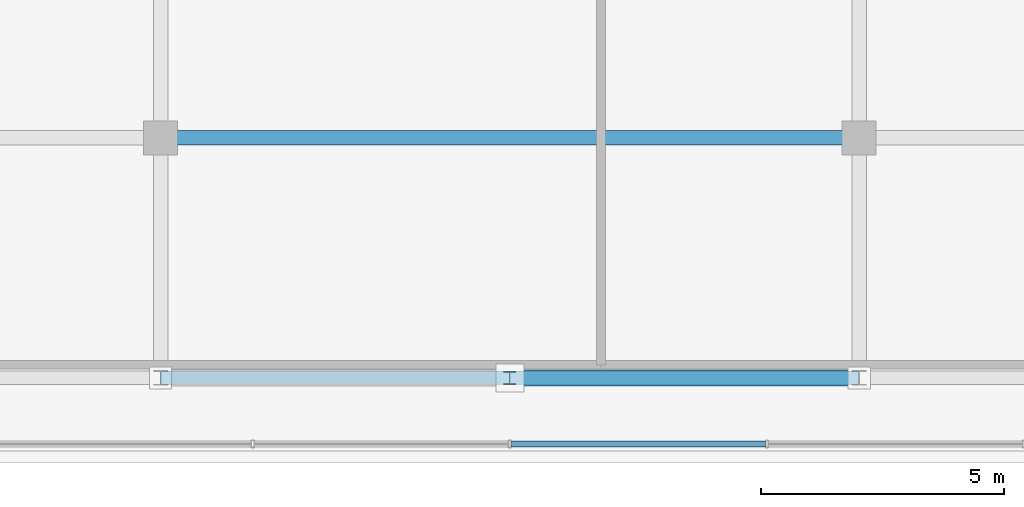
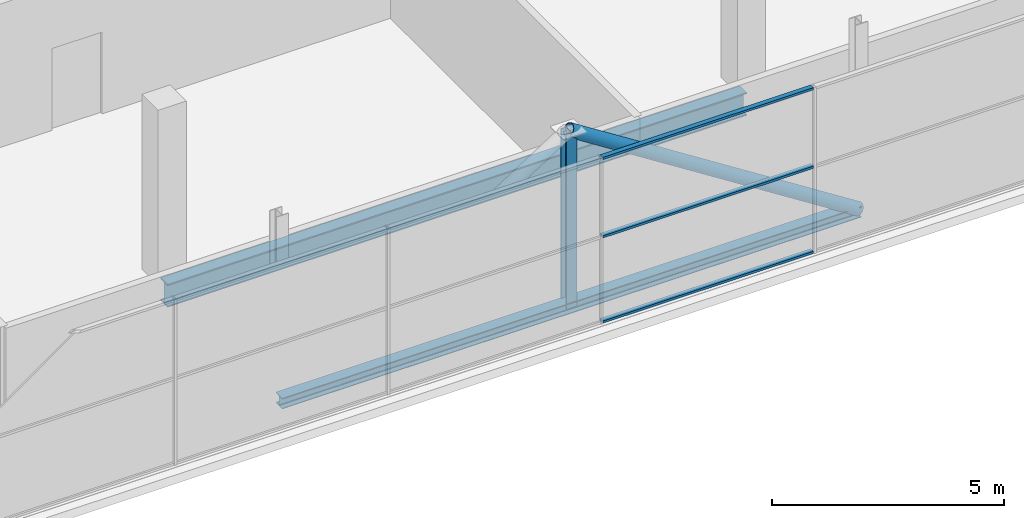
# One storey, part 8 of 26: 5 members, 2 beams, 1 element without a shape of its own.
"""IFC4 building model written with IfcOpenShell, lengths in metres."""

import ifcopenshell
import ifcopenshell.guid

model = None  # the IFC model being written
_history = None  # IfcOwnerHistory: only IFC2X3 demands one
_inside = {}  # id of a spatial element -> (the spatial element, [elements in it])
_under = {}  # id of a project, library or spatial element -> (it, [spatial elements below it])
_declared = {}  # id of a project -> (the project, [libraries it declares])
_typed = {}  # id of a type object -> (the type object, [elements of that type])
_made_of = {}  # id of a material, layer set ... -> (it, [elements and type objects made of it])


def new_model(schema):
    """Start an empty IFC model of exactly this schema.

    Asked for "IFC4X3", IfcOpenShell would pick the latest addendum, in which some entities
    have other attributes; the version numbers below select the first issue.
    IFC2X3 requires an IfcOwnerHistory on every rooted entity: one is made here for all.
    """
    global model, _history
    if schema == "IFC4X3":
        model = ifcopenshell.file(schema_version=(4, 3, 0, 0))
    else:
        model = ifcopenshell.file(schema=schema)
    _inside.clear()
    _under.clear()
    _declared.clear()
    _typed.clear()
    _made_of.clear()
    _history = None
    if model.schema == "IFC2X3":
        org = make("IfcOrganization", Name="unknown")
        user = make(
            "IfcPersonAndOrganization",
            ThePerson=make("IfcPerson", FamilyName="unknown"),
            TheOrganization=org,
        )
        app = make(
            "IfcApplication",
            ApplicationDeveloper=org,
            Version="unknown",
            ApplicationFullName="unknown",
            ApplicationIdentifier="unknown",
        )
        _history = make(
            "IfcOwnerHistory",
            OwningUser=user,
            OwningApplication=app,
            ChangeAction="ADDED",
            CreationDate=0,
        )
    return model


def make(cls, **values):
    """One entity of the class cls with the attributes given. An attribute that is None is left unset."""
    return model.create_entity(
        cls, **{name: value for name, value in values.items() if value is not None}
    )


def rooted(cls, **values):
    """An entity with a GlobalId (a new one), such as an element, a storey or a relation."""
    return make(cls, GlobalId=ifcopenshell.guid.new(), OwnerHistory=_history, **values)


def si_unit(unit_type, name, prefix=None):
    """IfcSIUnit, for example si_unit("LENGTHUNIT", "METRE", prefix="MILLI")."""
    return make("IfcSIUnit", UnitType=unit_type, Prefix=prefix, Name=name)


def assignment(units):
    """IfcUnitAssignment: the units of a project."""
    return None if units is None else make("IfcUnitAssignment", Units=units)


def point(xyz):
    """IfcCartesianPoint."""
    return None if xyz is None else make("IfcCartesianPoint", Coordinates=xyz)


def direction(xyz):
    """IfcDirection."""
    return None if xyz is None else make("IfcDirection", DirectionRatios=xyz)


def frame(location, z_axis=None, x_axis=None):
    """IfcAxis2Placement3D, a coordinate frame: its origin and axes. An axis left out is left unset."""
    return make(
        "IfcAxis2Placement3D",
        Location=point(location),
        Axis=direction(z_axis),
        RefDirection=direction(x_axis),
    )


def frame_2d(location, x_axis=None):
    """IfcAxis2Placement2D, a coordinate frame in the plane: its origin and x axis."""
    return make(
        "IfcAxis2Placement2D", Location=point(location), RefDirection=direction(x_axis)
    )


def origin():
    """The frame at (0, 0, 0) with its axes left unset."""
    return frame((0.0, 0.0, 0.0))


def origin_2d():
    """The frame at (0, 0) in the plane with its x axis left unset."""
    return frame_2d((0.0, 0.0))


def place(relative_to, where):
    """IfcLocalPlacement: puts the frame where relative to a parent placement (None: the world)."""
    return make(
        "IfcLocalPlacement", PlacementRelTo=relative_to, RelativePlacement=where
    )


def context(
    kind, dimensions, precision=None, world=None, true_north=None, identifier=None
):
    """IfcGeometricRepresentationContext, for example the 3D "Model" context."""
    return make(
        "IfcGeometricRepresentationContext",
        ContextIdentifier=identifier,
        ContextType=kind,
        CoordinateSpaceDimension=dimensions,
        Precision=precision,
        WorldCoordinateSystem=world,
        TrueNorth=true_north,
    )


def subcontext(parent, identifier, kind, view, scale=None):
    """IfcGeometricRepresentationSubContext, for example "Body" below "Model"."""
    return make(
        "IfcGeometricRepresentationSubContext",
        ContextIdentifier=identifier,
        ContextType=kind,
        ParentContext=parent,
        TargetScale=scale,
        TargetView=view,
    )


def project(units=None, contexts=None):
    """IfcProject with its units and contexts."""
    return rooted(
        "IfcProject",
        Name="project",
        RepresentationContexts=contexts,
        UnitsInContext=assignment(units),
    )


def spatial(cls, under=None, at=None, **own):
    """A site, building, storey or space (cls), placed at a placement, below another one or the project."""
    s = rooted(cls, ObjectPlacement=at, **own)
    if under is not None:
        _under.setdefault(under.id(), (under, []))[1].append(s)
    return s


def profile(cls, at=None, kind="AREA", **sizes):
    """A parametric profile (cls). Its sizes go by their IFC names, for example OverallWidth=200.0."""
    return make(cls, ProfileType=kind, Position=at, **sizes)


def hollow_rectangle(**sizes):
    """IfcRectangleHollowProfileDef."""
    return profile("IfcRectangleHollowProfileDef", **sizes)


def hollow_circle(**sizes):
    """IfcCircleHollowProfileDef."""
    return profile("IfcCircleHollowProfileDef", **sizes)


def i_section(**sizes):
    """IfcIShapeProfileDef."""
    return profile("IfcIShapeProfileDef", **sizes)


def extrude(swept, where, along, depth):
    """IfcExtrudedAreaSolid: the profile swept, set in the frame where, extruded along a direction by depth."""
    return make(
        "IfcExtrudedAreaSolid",
        SweptArea=swept,
        Position=where,
        ExtrudedDirection=direction(along),
        Depth=depth,
    )


def shape(context_of_items, identifier, shape_type, items):
    """IfcShapeRepresentation: the items that make up one representation, for example the "Body"."""
    return make(
        "IfcShapeRepresentation",
        ContextOfItems=context_of_items,
        RepresentationIdentifier=identifier,
        RepresentationType=shape_type,
        Items=items,
    )


def source(mapping_origin, context_of_items, identifier, shape_type, items):
    """IfcRepresentationMap: a shape defined once, which mapped items show again and again."""
    return make(
        "IfcRepresentationMap",
        MappingOrigin=mapping_origin,
        MappedRepresentation=shape(context_of_items, identifier, shape_type, items),
    )


def transform(
    local_origin,
    x_axis=None,
    y_axis=None,
    z_axis=None,
    scale=None,
    scale2=None,
    scale3=None,
    uniform=True,
):
    """IfcCartesianTransformationOperator3D, or its non-uniform kind. x_axis, y_axis, z_axis: its Axis1, 2, 3."""
    if uniform:
        return make(
            "IfcCartesianTransformationOperator3D",
            Axis1=direction(x_axis),
            Axis2=direction(y_axis),
            LocalOrigin=point(local_origin),
            Scale=scale,
            Axis3=direction(z_axis),
        )
    return make(
        "IfcCartesianTransformationOperator3DnonUniform",
        Axis1=direction(x_axis),
        Axis2=direction(y_axis),
        LocalOrigin=point(local_origin),
        Scale=scale,
        Axis3=direction(z_axis),
        Scale2=scale2,
        Scale3=scale3,
    )


def mapped(mapping_source, mapping_target):
    """IfcMappedItem: shows the shape of a source again, moved by a transform."""
    return make(
        "IfcMappedItem", MappingSource=mapping_source, MappingTarget=mapping_target
    )


def material(Name=None, Category=None):
    """IfcMaterial."""
    return make("IfcMaterial", Name=Name, Category=Category)


def layer(
    of_material, thickness, ventilated=None, Name=None, Category=None, Priority=None
):
    """IfcMaterialLayer: one layer of a wall or slab, of a material (None: an air gap)."""
    return make(
        "IfcMaterialLayer",
        Material=of_material,
        LayerThickness=thickness,
        IsVentilated=ventilated,
        Name=Name,
        Category=Category,
        Priority=Priority,
    )


def layer_set(layers, Name=None):
    """IfcMaterialLayerSet."""
    return make("IfcMaterialLayerSet", MaterialLayers=layers, LayerSetName=Name)


def material_profile(
    of_material, cross_section, Name=None, Category=None, Priority=None
):
    """IfcMaterialProfile: a cross section and its material."""
    return make(
        "IfcMaterialProfile",
        Name=Name,
        Material=of_material,
        Profile=cross_section,
        Priority=Priority,
        Category=Category,
    )


def profile_set(profiles, Name=None, composite=None):
    """IfcMaterialProfileSet."""
    return make(
        "IfcMaterialProfileSet",
        Name=Name,
        MaterialProfiles=profiles,
        CompositeProfile=composite,
    )


def made_of(thing, what):
    """Note that an element or type object is made of a material, layer set ...; save() writes the relation."""
    if what is not None:
        _made_of.setdefault(what.id(), (what, []))[1].append(thing)
    return thing


def type_object(cls, material=None, **own):
    """A type object (cls), such as IfcWallType, which elements share."""
    return made_of(rooted(cls, **own), material)


def element(
    cls,
    number,
    at=None,
    inside=None,
    cuts=None,
    type_object=None,
    material=None,
    context=None,
    identifier="Body",
    shape_type=None,
    held_by="IfcProductDefinitionShape",
    body=None,
    shapes=None,
    **own,
):
    """One element of the class cls, such as IfcWall. Its Tag is "e" and its number.

    at: its placement. inside: the storey or other place that contains it. cuts: it is an
    opening in that element (IfcRelVoidsElement). A single representation is given by context,
    identifier, shape_type and body (its items); several are given by shapes. held_by: the class
    of the entity that holds the representations. save() writes the other relations.
    """
    e = rooted(cls, Tag="e%d" % number, ObjectPlacement=at, **own)
    if body is not None:
        shapes = [shape(context, identifier, shape_type, body)]
    if shapes is not None:
        e.Representation = make(held_by, Representations=shapes)
    if inside is not None:
        _inside.setdefault(inside.id(), (inside, []))[1].append(e)
    if cuts is not None:
        rooted(
            "IfcRelVoidsElement", RelatingBuildingElement=cuts, RelatedOpeningElement=e
        )
    if type_object is not None:
        _typed.setdefault(type_object.id(), (type_object, []))[1].append(e)
    return made_of(e, material)


def aggregate(whole, parts):
    """IfcRelAggregates: a whole, such as a stair, and the parts it consists of."""
    return rooted("IfcRelAggregates", RelatingObject=whole, RelatedObjects=parts)


def save(model, path):
    """Write the relations noted so far, then the file.

    IfcRelAggregates (storeys below a building ...), IfcRelContainedInSpatialStructure (elements
    in a storey), IfcRelDefinesByType, IfcRelAssociatesMaterial and IfcRelDeclares: one each for
    every whole, place, type object, material and project.
    """
    for whole, parts in _under.values():
        aggregate(whole, parts)
    for where, things in _inside.values():
        rooted(
            "IfcRelContainedInSpatialStructure",
            RelatedElements=things,
            RelatingStructure=where,
        )
    for kind, things in _typed.values():
        rooted("IfcRelDefinesByType", RelatedObjects=things, RelatingType=kind)
    for what, things in _made_of.values():
        rooted("IfcRelAssociatesMaterial", RelatedObjects=things, RelatingMaterial=what)
    for by, libraries in _declared.values():
        rooted("IfcRelDeclares", RelatingContext=by, RelatedDefinitions=libraries)
    model.write(path)


model = new_model("IFC4")

# Units and contexts
model_context = context("Model", 3, precision=1e-05, world=origin(), true_north=direction((0.0, 1.0)))
body_context = subcontext(model_context, "Body", "Model", "MODEL_VIEW")
ifc_project = project(units=[si_unit("LENGTHUNIT", "METRE"), si_unit("AREAUNIT", "SQUARE_METRE"), si_unit("VOLUMEUNIT", "CUBIC_METRE"), si_unit("PLANEANGLEUNIT", "RADIAN"), si_unit("MASSUNIT", "GRAM", prefix="KILO")], contexts=[model_context])

# Site, building, storey
site_placement = place(None, origin())
site = spatial("IfcSite", under=ifc_project, at=site_placement, CompositionType="ELEMENT")
building_placement = place(site_placement, origin())
building = spatial("IfcBuilding", under=site, at=building_placement, Name="Zarnakvel Exchange Tower", CompositionType="ELEMENT")
storey_placement = place(building_placement, frame((0.0, 0.0, 285.39990234375)))
storey = spatial("IfcBuildingStorey", under=building, at=storey_placement, Name="Crown L80", CompositionType="ELEMENT", Elevation=285.39990234375)

# Beams
ifc_material_1 = material(Name="Steel S355", Category="steel")
ifc_material_profile_1 = material_profile(ifc_material_1, i_section(OverallWidth=0.300048828125, OverallDepth=0.60009765625, WebThickness=0.015380859375, FlangeThickness=0.030029296875, FilletRadius=0.027099609375, at=origin_2d()))
ifc_profile_set_1 = profile_set([ifc_material_profile_1], Name="Steel S355")
beam_type_1 = type_object("IfcBeamType", Name="G-04", PredefinedType="BEAM", material=ifc_profile_set_1)
beam_1_placement = place(storey_placement, frame((-7.199951171875, -9.60009765625, -0.52001953125), z_axis=(1.0, 0.0, 0.0), x_axis=(0.0, 1.0, 0.0)))
element("IfcBeam", 1, at=beam_1_placement, inside=storey, type_object=beam_type_1, Name="Crown L80 Tower E-W Frame Beam", PredefinedType="BEAM", context=body_context, shape_type="SweptSolid", body=[
    extrude(i_section(OverallWidth=0.300048828125, OverallDepth=0.60009765625, WebThickness=0.015380859375, FlangeThickness=0.030029296875, FilletRadius=0.027099609375, at=origin_2d()), origin(), (0.0, 0.0, 1.0), 14.39990234375),
])
ifc_material_profile_2 = material_profile(ifc_material_1, i_section(OverallWidth=0.280029296875, OverallDepth=0.280029296875, WebThickness=0.010498046875, FlangeThickness=0.01806640625, FilletRadius=0.02392578125, at=origin_2d()))
ifc_profile_set_2 = profile_set([ifc_material_profile_2], Name="Steel S355")
beam_type_2 = type_object("IfcBeamType", Name="SP-04", PredefinedType="SPANDREL", material=ifc_profile_set_2)
beam_2_placement = place(storey_placement, frame((-7.199951171875, -14.550048828125, -0.35986328125), z_axis=(1.0, 0.0, 0.0), x_axis=(0.0, 1.0, 0.0)))
element("IfcBeam", 2, at=beam_2_placement, inside=storey, type_object=beam_type_2, Name="Crown L80 Tower E-W Frame Beam", PredefinedType="SPANDREL", context=body_context, shape_type="SweptSolid", body=[
    extrude(i_section(OverallWidth=0.280029296875, OverallDepth=0.280029296875, WebThickness=0.010498046875, FlangeThickness=0.01806640625, FilletRadius=0.02392578125, at=origin_2d()), origin(), (0.0, 0.0, 1.0), 14.39990234375),
])

# Members
ifc_material_profile_3 = material_profile(ifc_material_1, hollow_circle(Radius=0.161865234375, WallThickness=0.01611328125, at=origin_2d()))
ifc_profile_set_3 = profile_set([ifc_material_profile_3], Name="Steel S355")
member_type_1 = type_object("IfcMemberType", Name="CF-03", PredefinedType="BRACE", material=ifc_profile_set_3)
shared_shape_1 = source(origin(), body_context, "Body", "SweptSolid", [
    extrude(hollow_circle(Radius=0.161865234375, WallThickness=0.01611328125, at=origin_2d()), origin(), (0.0, 0.0, 1.0), 8.5439453125),
])
member_1_placement = place(storey_placement, frame((7.199951171875, -14.550048828125, -0.35986328125), z_axis=(-0.842702381832, 0.0, 0.53837969469), x_axis=(0.0, -1.0, 0.0)))
element("IfcMember", 3, at=member_1_placement, inside=storey, type_object=member_type_1, Name="Crown L80 Crown Chevron Brace R (CF-03)", PredefinedType="BRACE", context=body_context, shape_type="MappedRepresentation", body=[
    mapped(shared_shape_1, transform((0.0, 0.0, 0.0), x_axis=(1.0, 0.0, 0.0), y_axis=(0.0, 1.0, 0.0), z_axis=(0.0, 0.0, 1.0), scale=1.0)),
])
ifc_material_profile_4 = material_profile(ifc_material_1, i_section(OverallWidth=0.25634765625, OverallDepth=0.26025390625, WebThickness=0.01025390625, FlangeThickness=0.017333984375, FilletRadius=0.0126953125, at=origin_2d()))
ifc_profile_set_4 = profile_set([ifc_material_profile_4], Name="Steel S355")
member_type_2 = type_object("IfcMemberType", Name="CF-04", PredefinedType="STRUT", material=ifc_profile_set_4)
shared_shape_2 = source(origin(), body_context, "Body", "SweptSolid", [
    extrude(i_section(OverallWidth=0.25634765625, OverallDepth=0.26025390625, WebThickness=0.01025390625, FlangeThickness=0.017333984375, FilletRadius=0.0126953125, at=origin_2d()), origin(), (0.0, 0.0, 1.0), 4.599853515625),
])
member_2_placement = place(storey_placement, frame((0.0, -14.550048828125, -0.35986328125), z_axis=(0.0, 0.0, 1.0), x_axis=(1.0, 0.0, 0.0)))
element("IfcMember", 4, at=member_2_placement, inside=storey, type_object=member_type_2, Name="Crown L80 Crown Frame Post (CF-04)", PredefinedType="STRUT", context=body_context, shape_type="MappedRepresentation", body=[
    mapped(shared_shape_2, transform((0.0, 0.0, 0.0), x_axis=(1.0, 0.0, 0.0), y_axis=(0.0, 1.0, 0.0), z_axis=(0.0, 0.0, 1.0), scale=1.0)),
])

# Curtain wall, members
ifc_material_2 = material(Name="Architectural Bronze Anodised Aluminium", Category="aluminium")
ifc_layer = layer(ifc_material_2, 0.14990234375)
ifc_layer_set = layer_set([ifc_layer], Name="Architectural Bronze Anodised Aluminium")
curtain_wall_type = type_object("IfcCurtainWallType", Name="CW-07", PredefinedType="NOTDEFINED", material=ifc_layer_set)
curtain_wall_placement = place(storey_placement, origin())
curtain_wall = element("IfcCurtainWall", 5, at=curtain_wall_placement, inside=storey, type_object=curtain_wall_type, Name="Crown L80 Curtain Wall CW-Crown L80-S (CW-07)", PredefinedType="NOTDEFINED")
ifc_material_profile_5 = material_profile(ifc_material_2, hollow_rectangle(XDim=0.1201171875, YDim=0.06005859375, WallThickness=0.00390625, at=origin_2d()))
ifc_profile_set_5 = profile_set([ifc_material_profile_5], Name="Architectural Bronze Anodised Aluminium")
member_type_3 = type_object("IfcMemberType", Name="CWT-07", PredefinedType="USERDEFINED", material=ifc_profile_set_5)
shared_shape_3 = source(origin(), body_context, "Body", "SweptSolid", [
    extrude(hollow_rectangle(XDim=0.1201171875, YDim=0.06005859375, WallThickness=0.00390625, at=origin_2d()), origin(), (0.0, 0.0, 1.0), 5.239990234375),
])
member_3_placement = place(storey_placement, frame((0.030029296875, -15.909912109375, 0.030029296875), z_axis=(1.0, 0.0, 0.0), x_axis=(0.0, 1.0, 0.0)))
member_3 = element("IfcMember", 6, at=member_3_placement, type_object=member_type_3, Name="CW-07 transom 4.1", ObjectType="TRANSOM", PredefinedType="USERDEFINED", context=body_context, shape_type="MappedRepresentation", body=[
    mapped(shared_shape_3, transform((0.0, 0.0, 0.0), x_axis=(1.0, 0.0, 0.0), y_axis=(0.0, 1.0, 0.0), z_axis=(0.0, 0.0, 1.0), scale=1.0)),
])
member_4_placement = place(storey_placement, frame((0.030029296875, -15.909912109375, 2.267333984375), z_axis=(1.0, 0.0, 0.0), x_axis=(0.0, 1.0, 0.0)))
member_4 = element("IfcMember", 7, at=member_4_placement, type_object=member_type_3, Name="CW-07 transom 4.2", ObjectType="TRANSOM", PredefinedType="USERDEFINED", context=body_context, shape_type="MappedRepresentation", body=[
    mapped(shared_shape_3, transform((0.0, 0.0, 0.0), x_axis=(1.0, 0.0, 0.0), y_axis=(0.0, 1.0, 0.0), z_axis=(0.0, 0.0, 1.0), scale=1.0)),
])
member_5_placement = place(storey_placement, frame((0.030029296875, -15.909912109375, 4.330078125), z_axis=(1.0, 0.0, 0.0), x_axis=(0.0, 1.0, 0.0)))
member_5 = element("IfcMember", 8, at=member_5_placement, type_object=member_type_3, Name="CW-07 transom 4.3", ObjectType="TRANSOM", PredefinedType="USERDEFINED", context=body_context, shape_type="MappedRepresentation", body=[
    mapped(shared_shape_3, transform((0.0, 0.0, 0.0), x_axis=(1.0, 0.0, 0.0), y_axis=(0.0, 1.0, 0.0), z_axis=(0.0, 0.0, 1.0), scale=1.0)),
])
aggregate(curtain_wall, [member_3, member_4, member_5])

save(model, "model.ifc")
